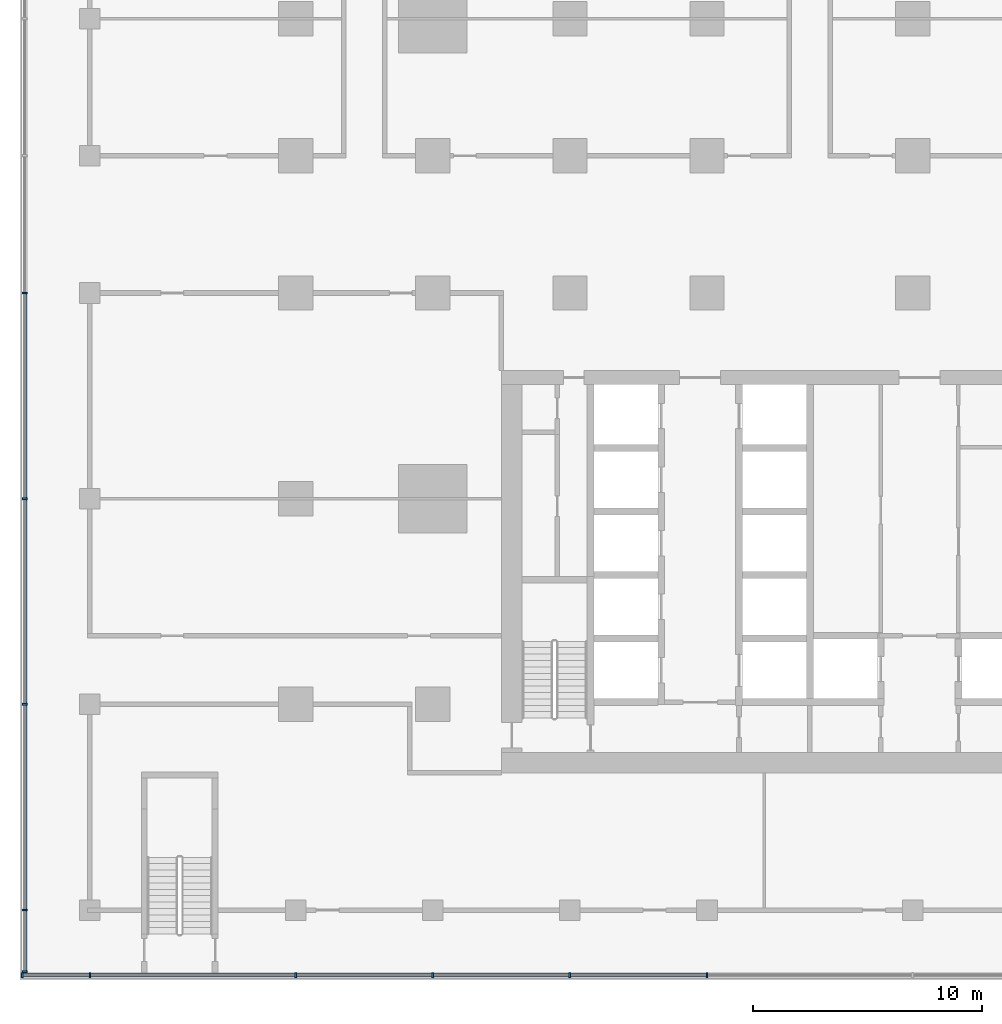
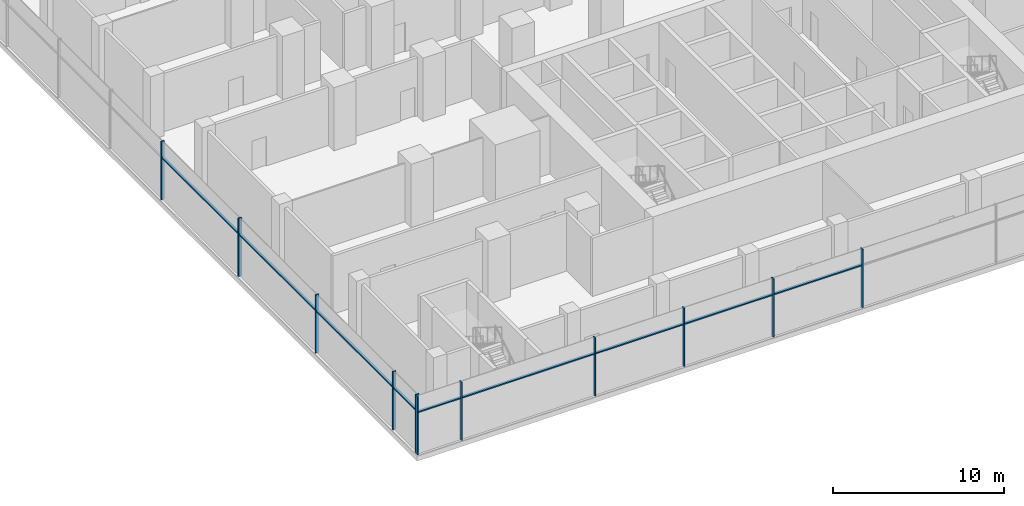
# One storey, part 2 of 22: 20 members, 2 elements without a shape of their own.
"""IFC4 building model written with IfcOpenShell, lengths in metres."""

from ifc_helpers import new_model, si_unit, direction, frame, origin, origin_2d, place, context, subcontext, project, spatial, rectangle, extrude, material, material_profile, profile_set, type_object, element, aggregate, save


model = new_model("IFC4")

# Units and contexts
model_context = context("Model", 3, precision=1e-05, world=origin(), true_north=direction((0.0, 1.0)))
body_context = subcontext(model_context, "Body", "Model", "MODEL_VIEW")
ifc_project = project(units=[si_unit("LENGTHUNIT", "METRE"), si_unit("AREAUNIT", "SQUARE_METRE"), si_unit("VOLUMEUNIT", "CUBIC_METRE"), si_unit("PLANEANGLEUNIT", "RADIAN"), si_unit("MASSUNIT", "GRAM", prefix="KILO")], contexts=[model_context])

# Site, building, storey
site_placement = place(None, origin())
site = spatial("IfcSite", under=ifc_project, at=site_placement, CompositionType="ELEMENT")
building_placement = place(site_placement, origin())
building = spatial("IfcBuilding", under=site, at=building_placement, Name="Finial Court Residences", CompositionType="ELEMENT")
storey_placement = place(building_placement, frame((0.0, 0.0, 23.5)))
storey = spatial("IfcBuildingStorey", under=building, at=storey_placement, Name="L04", CompositionType="ELEMENT", Elevation=23.5)

# Curtain wall, members
ifc_material = material(Name="Bronze anodised aluminium", Category="aluminium")
curtain_wall_type = type_object("IfcCurtainWallType", Name="Podium curtain wall", PredefinedType="NOTDEFINED", material=ifc_material)
curtain_wall_1_placement = place(storey_placement, origin())
curtain_wall_1 = element("IfcCurtainWall", 1, at=curtain_wall_1_placement, inside=storey, type_object=curtain_wall_type, Name="E-L04-CW-S3", PredefinedType="NOTDEFINED")
ifc_material_profile_1 = material_profile(ifc_material, rectangle(XDim=0.22509765625, YDim=0.080078125, at=origin_2d()), Name="CW5 mullion 80 x 225")
ifc_profile_set_1 = profile_set([ifc_material_profile_1], Name="Bronze anodised aluminium")
member_type_1 = type_object("IfcMemberType", Name="CW5 mullion 80 x 225", PredefinedType="MULLION", material=ifc_profile_set_1)
member_1_placement = place(storey_placement, frame((-34.4599609375, -34.35009765625, 0.0), z_axis=(0.0, 0.0, 1.0), x_axis=(0.0, 1.0, 0.0)))
member_1 = element("IfcMember", 2, at=member_1_placement, type_object=member_type_1, Name="CW5 mullion 1", PredefinedType="MULLION", context=body_context, shape_type="SweptSolid", body=[
    extrude(rectangle(XDim=0.22509765625, YDim=0.080078125, at=origin_2d()), origin(), (0.0, 0.0, 1.0), 4.14990234375),
])
member_2_placement = place(storey_placement, frame((-31.5, -34.35009765625, 0.0), z_axis=(0.0, 0.0, 1.0), x_axis=(0.0, 1.0, 0.0)))
member_2 = element("IfcMember", 3, at=member_2_placement, type_object=member_type_1, Name="CW5 mullion 2", PredefinedType="MULLION", context=body_context, shape_type="SweptSolid", body=[
    extrude(rectangle(XDim=0.22509765625, YDim=0.080078125, at=origin_2d()), origin(), (0.0, 0.0, 1.0), 4.14990234375),
])
member_3_placement = place(storey_placement, frame((-22.5, -34.35009765625, 0.0), z_axis=(0.0, 0.0, 1.0), x_axis=(0.0, 1.0, 0.0)))
member_3 = element("IfcMember", 4, at=member_3_placement, type_object=member_type_1, Name="CW5 mullion 3", PredefinedType="MULLION", context=body_context, shape_type="SweptSolid", body=[
    extrude(rectangle(XDim=0.22509765625, YDim=0.080078125, at=origin_2d()), origin(), (0.0, 0.0, 1.0), 4.14990234375),
])
member_4_placement = place(storey_placement, frame((-16.5, -34.35009765625, 0.0), z_axis=(0.0, 0.0, 1.0), x_axis=(0.0, 1.0, 0.0)))
member_4 = element("IfcMember", 5, at=member_4_placement, type_object=member_type_1, Name="CW5 mullion 4", PredefinedType="MULLION", context=body_context, shape_type="SweptSolid", body=[
    extrude(rectangle(XDim=0.22509765625, YDim=0.080078125, at=origin_2d()), origin(), (0.0, 0.0, 1.0), 4.14990234375),
])
member_5_placement = place(storey_placement, frame((-10.5, -34.35009765625, 0.0), z_axis=(0.0, 0.0, 1.0), x_axis=(0.0, 1.0, 0.0)))
member_5 = element("IfcMember", 6, at=member_5_placement, type_object=member_type_1, Name="CW5 mullion 5", PredefinedType="MULLION", context=body_context, shape_type="SweptSolid", body=[
    extrude(rectangle(XDim=0.22509765625, YDim=0.080078125, at=origin_2d()), origin(), (0.0, 0.0, 1.0), 4.14990234375),
])
member_6_placement = place(storey_placement, frame((-4.5, -34.35009765625, 0.0), z_axis=(0.0, 0.0, 1.0), x_axis=(0.0, 1.0, 0.0)))
member_6 = element("IfcMember", 7, at=member_6_placement, type_object=member_type_1, Name="CW5 mullion 6", PredefinedType="MULLION", context=body_context, shape_type="SweptSolid", body=[
    extrude(rectangle(XDim=0.22509765625, YDim=0.080078125, at=origin_2d()), origin(), (0.0, 0.0, 1.0), 4.14990234375),
])

curtain_wall_2_placement = place(storey_placement, origin())
curtain_wall_2 = element("IfcCurtainWall", 8, at=curtain_wall_2_placement, inside=storey, type_object=curtain_wall_type, Name="E-L04-CW-W4", PredefinedType="NOTDEFINED")
member_7_placement = place(storey_placement, frame((-34.35009765625, -34.197509765625, 0.0), z_axis=(0.0, 0.0, 1.0), x_axis=(-1.0, 0.0, 0.0)))
member_7 = element("IfcMember", 9, at=member_7_placement, type_object=member_type_1, Name="CW5 mullion 1", PredefinedType="MULLION", context=body_context, shape_type="SweptSolid", body=[
    extrude(rectangle(XDim=0.22509765625, YDim=0.080078125, at=origin_2d()), origin(), (0.0, 0.0, 1.0), 4.14990234375),
])
member_8_placement = place(storey_placement, frame((-34.35009765625, -31.5, 0.0), z_axis=(0.0, 0.0, 1.0), x_axis=(-1.0, 0.0, 0.0)))
member_8 = element("IfcMember", 10, at=member_8_placement, type_object=member_type_1, Name="CW5 mullion 2", PredefinedType="MULLION", context=body_context, shape_type="SweptSolid", body=[
    extrude(rectangle(XDim=0.22509765625, YDim=0.080078125, at=origin_2d()), origin(), (0.0, 0.0, 1.0), 4.14990234375),
])
member_9_placement = place(storey_placement, frame((-34.35009765625, -22.5, 0.0), z_axis=(0.0, 0.0, 1.0), x_axis=(-1.0, 0.0, 0.0)))
member_9 = element("IfcMember", 11, at=member_9_placement, type_object=member_type_1, Name="CW5 mullion 3", PredefinedType="MULLION", context=body_context, shape_type="SweptSolid", body=[
    extrude(rectangle(XDim=0.22509765625, YDim=0.080078125, at=origin_2d()), origin(), (0.0, 0.0, 1.0), 4.14990234375),
])
member_10_placement = place(storey_placement, frame((-34.35009765625, -13.5, 0.0), z_axis=(0.0, 0.0, 1.0), x_axis=(-1.0, 0.0, 0.0)))
member_10 = element("IfcMember", 12, at=member_10_placement, type_object=member_type_1, Name="CW5 mullion 4", PredefinedType="MULLION", context=body_context, shape_type="SweptSolid", body=[
    extrude(rectangle(XDim=0.22509765625, YDim=0.080078125, at=origin_2d()), origin(), (0.0, 0.0, 1.0), 4.14990234375),
])
member_11_placement = place(storey_placement, frame((-34.35009765625, -4.5, 0.0), z_axis=(0.0, 0.0, 1.0), x_axis=(-1.0, 0.0, 0.0)))
member_11 = element("IfcMember", 13, at=member_11_placement, type_object=member_type_1, Name="CW5 mullion 5", PredefinedType="MULLION", context=body_context, shape_type="SweptSolid", body=[
    extrude(rectangle(XDim=0.22509765625, YDim=0.080078125, at=origin_2d()), origin(), (0.0, 0.0, 1.0), 4.14990234375),
])

# Member
ifc_material_profile_2 = material_profile(ifc_material, rectangle(XDim=0.175048828125, YDim=0.080078125, at=origin_2d()), Name="CW5 transom 80 x 175")
ifc_profile_set_2 = profile_set([ifc_material_profile_2], Name="Bronze anodised aluminium")
member_type_2 = type_object("IfcMemberType", Name="CW5 transom 80 x 175", PredefinedType="USERDEFINED", material=ifc_profile_set_2)
member_12_placement = place(storey_placement, frame((-34.419921875, -34.35009765625, 3.0), z_axis=(1.0, 0.0, 0.0), x_axis=(0.0, 1.0, 0.0)))
member_12 = element("IfcMember", 14, at=member_12_placement, type_object=member_type_2, Name="CW5 transom 1.1", ObjectType="TRANSOM", PredefinedType="USERDEFINED", context=body_context, shape_type="SweptSolid", body=[
    extrude(rectangle(XDim=0.175048828125, YDim=0.080078125, at=origin_2d()), origin(), (0.0, 0.0, 1.0), 2.8798828125),
])

member_13_placement = place(storey_placement, frame((-31.4599609375, -34.35009765625, 3.0), z_axis=(1.0, 0.0, 0.0), x_axis=(0.0, 1.0, 0.0)))
member_13 = element("IfcMember", 15, at=member_13_placement, type_object=member_type_2, Name="CW5 transom 2.1", ObjectType="TRANSOM", PredefinedType="USERDEFINED", context=body_context, shape_type="SweptSolid", body=[
    extrude(rectangle(XDim=0.175048828125, YDim=0.080078125, at=origin_2d()), origin(), (0.0, 0.0, 1.0), 8.919921875),
])

member_14_placement = place(storey_placement, frame((-22.4599609375, -34.35009765625, 3.0), z_axis=(1.0, 0.0, 0.0), x_axis=(0.0, 1.0, 0.0)))
member_14 = element("IfcMember", 16, at=member_14_placement, type_object=member_type_2, Name="CW5 transom 3.1", ObjectType="TRANSOM", PredefinedType="USERDEFINED", context=body_context, shape_type="SweptSolid", body=[
    extrude(rectangle(XDim=0.175048828125, YDim=0.080078125, at=origin_2d()), origin(), (0.0, 0.0, 1.0), 5.919921875),
])

member_15_placement = place(storey_placement, frame((-16.4599609375, -34.35009765625, 3.0), z_axis=(1.0, 0.0, 0.0), x_axis=(0.0, 1.0, 0.0)))
member_15 = element("IfcMember", 17, at=member_15_placement, type_object=member_type_2, Name="CW5 transom 4.1", ObjectType="TRANSOM", PredefinedType="USERDEFINED", context=body_context, shape_type="SweptSolid", body=[
    extrude(rectangle(XDim=0.175048828125, YDim=0.080078125, at=origin_2d()), origin(), (0.0, 0.0, 1.0), 5.919921875),
])

member_16_placement = place(storey_placement, frame((-10.4599609375, -34.35009765625, 3.0), z_axis=(1.0, 0.0, 0.0), x_axis=(0.0, 1.0, 0.0)))
member_16 = element("IfcMember", 18, at=member_16_placement, type_object=member_type_2, Name="CW5 transom 5.1", ObjectType="TRANSOM", PredefinedType="USERDEFINED", context=body_context, shape_type="SweptSolid", body=[
    extrude(rectangle(XDim=0.175048828125, YDim=0.080078125, at=origin_2d()), origin(), (0.0, 0.0, 1.0), 5.919921875),
])

aggregate(curtain_wall_1, [member_1, member_2, member_3, member_4, member_5, member_6, member_12, member_13, member_14, member_15, member_16])

member_17_placement = place(storey_placement, frame((-34.35009765625, -34.157470703125, 3.0), z_axis=(0.0, 1.0, 0.0), x_axis=(-1.0, 0.0, 0.0)))
member_17 = element("IfcMember", 19, at=member_17_placement, type_object=member_type_2, Name="CW5 transom 1.1", ObjectType="TRANSOM", PredefinedType="USERDEFINED", context=body_context, shape_type="SweptSolid", body=[
    extrude(rectangle(XDim=0.175048828125, YDim=0.080078125, at=origin_2d()), origin(), (0.0, 0.0, 1.0), 2.617431640625),
])

member_18_placement = place(storey_placement, frame((-34.35009765625, -31.4599609375, 3.0), z_axis=(0.0, 1.0, 0.0), x_axis=(-1.0, 0.0, 0.0)))
member_18 = element("IfcMember", 20, at=member_18_placement, type_object=member_type_2, Name="CW5 transom 2.1", ObjectType="TRANSOM", PredefinedType="USERDEFINED", context=body_context, shape_type="SweptSolid", body=[
    extrude(rectangle(XDim=0.175048828125, YDim=0.080078125, at=origin_2d()), origin(), (0.0, 0.0, 1.0), 8.919921875),
])

member_19_placement = place(storey_placement, frame((-34.35009765625, -22.4599609375, 3.0), z_axis=(0.0, 1.0, 0.0), x_axis=(-1.0, 0.0, 0.0)))
member_19 = element("IfcMember", 21, at=member_19_placement, type_object=member_type_2, Name="CW5 transom 3.1", ObjectType="TRANSOM", PredefinedType="USERDEFINED", context=body_context, shape_type="SweptSolid", body=[
    extrude(rectangle(XDim=0.175048828125, YDim=0.080078125, at=origin_2d()), origin(), (0.0, 0.0, 1.0), 8.919921875),
])

member_20_placement = place(storey_placement, frame((-34.35009765625, -13.4599609375, 3.0), z_axis=(0.0, 1.0, 0.0), x_axis=(-1.0, 0.0, 0.0)))
member_20 = element("IfcMember", 22, at=member_20_placement, type_object=member_type_2, Name="CW5 transom 4.1", ObjectType="TRANSOM", PredefinedType="USERDEFINED", context=body_context, shape_type="SweptSolid", body=[
    extrude(rectangle(XDim=0.175048828125, YDim=0.080078125, at=origin_2d()), origin(), (0.0, 0.0, 1.0), 8.919921875),
])

aggregate(curtain_wall_2, [member_7, member_8, member_9, member_10, member_11, member_17, member_18, member_19, member_20])

save(model, "model.ifc")
